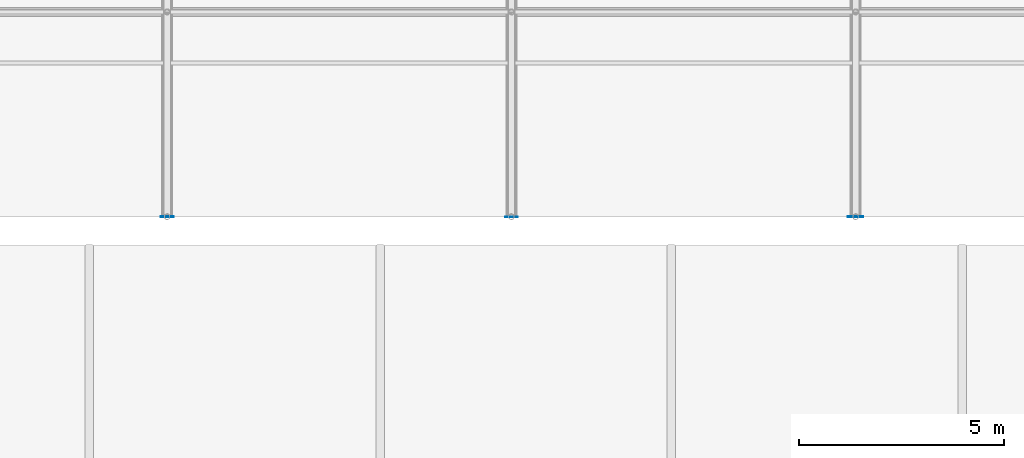
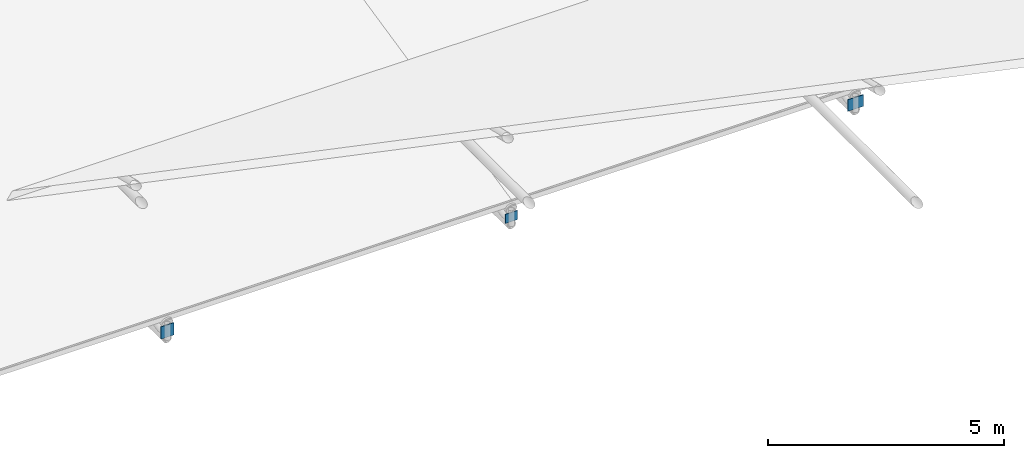
# One storey, part 179 of 194: 3 plates.
"""IFC4 building model written with IfcOpenShell, lengths in metres."""

from ifc_helpers import new_model, si_unit, direction, frame, origin, origin_2d, place, context, subcontext, project, spatial, rectangle, extrude, material, layer, layer_set, type_object, element, save


model = new_model("IFC4")

# Units and contexts
model_context = context("Model", 3, precision=1e-05, world=origin(), true_north=direction((0.0, 1.0)))
body_context = subcontext(model_context, "Body", "Model", "MODEL_VIEW")
ifc_project = project(units=[si_unit("LENGTHUNIT", "METRE"), si_unit("AREAUNIT", "SQUARE_METRE"), si_unit("VOLUMEUNIT", "CUBIC_METRE"), si_unit("PLANEANGLEUNIT", "RADIAN"), si_unit("MASSUNIT", "GRAM", prefix="KILO")], contexts=[model_context])

# Site, building, storey
site_placement = place(None, origin())
site = spatial("IfcSite", under=ifc_project, at=site_placement, CompositionType="ELEMENT")
building_placement = place(site_placement, origin())
building = spatial("IfcBuilding", under=site, at=building_placement, Name="Kazenagashi Tramway Depot", CompositionType="ELEMENT")
storey_placement = place(building_placement, frame((0.0, 0.0, 23.7)))
storey = spatial("IfcBuildingStorey", under=building, at=storey_placement, Name="ROOF", CompositionType="ELEMENT", Elevation=23.7)

# Plates
ifc_material = material(Name="Steel STK490", Category="steel")
ifc_layer_1 = layer(ifc_material, 0.016)
ifc_layer_set_1 = layer_set([ifc_layer_1], Name="Steel STK490")
plate_type_1 = type_object("IfcPlateType", Name="EC-05", PredefinedType="USERDEFINED", material=ifc_layer_set_1)
plate_1_placement = place(storey_placement, frame((162.4, 70.0, -14.06), z_axis=(0.0, 0.0, 1.0), x_axis=(1.0, 0.0, 0.0)))
element("IfcPlate", 1, at=plate_1_placement, inside=storey, type_object=plate_type_1, Name="Structural Node Plate EC-05 PLT-0059", ObjectType="END CAP PLATE", PredefinedType="USERDEFINED", context=body_context, shape_type="SweptSolid", body=[
    extrude(rectangle(XDim=0.32, YDim=0.016, at=origin_2d()), origin(), (0.0, 0.0, 1.0), 0.32),
])
ifc_layer_2 = layer(ifc_material, 0.014)
ifc_layer_set_2 = layer_set([ifc_layer_2], Name="Steel STK490")
plate_type_2 = type_object("IfcPlateType", Name="EC-06", PredefinedType="USERDEFINED", material=ifc_layer_set_2)
plate_2_placement = place(storey_placement, frame((170.8, 70.0, -14.02), z_axis=(0.0, 0.0, 1.0), x_axis=(1.0, 0.0, 0.0)))
element("IfcPlate", 2, at=plate_2_placement, inside=storey, type_object=plate_type_2, Name="Structural Node Plate EC-06 PLT-0063", ObjectType="END CAP PLATE", PredefinedType="USERDEFINED", context=body_context, shape_type="SweptSolid", body=[
    extrude(rectangle(XDim=0.3, YDim=0.014, at=origin_2d()), origin(), (0.0, 0.0, 1.0), 0.24),
])
ifc_layer_3 = layer(ifc_material, 0.018)
ifc_layer_set_3 = layer_set([ifc_layer_3], Name="Steel STK490")
plate_type_3 = type_object("IfcPlateType", Name="EC-07", PredefinedType="USERDEFINED", material=ifc_layer_set_3)
plate_3_placement = place(storey_placement, frame((179.2, 70.0, -14.05), z_axis=(0.0, 0.0, 1.0), x_axis=(1.0, 0.0, 0.0)))
element("IfcPlate", 3, at=plate_3_placement, inside=storey, type_object=plate_type_3, Name="Structural Node Plate EC-07 PLT-0067", ObjectType="END CAP PLATE", PredefinedType="USERDEFINED", context=body_context, shape_type="SweptSolid", body=[
    extrude(rectangle(XDim=0.38, YDim=0.018, at=origin_2d()), origin(), (0.0, 0.0, 1.0), 0.3),
])

save(model, "model.ifc")
